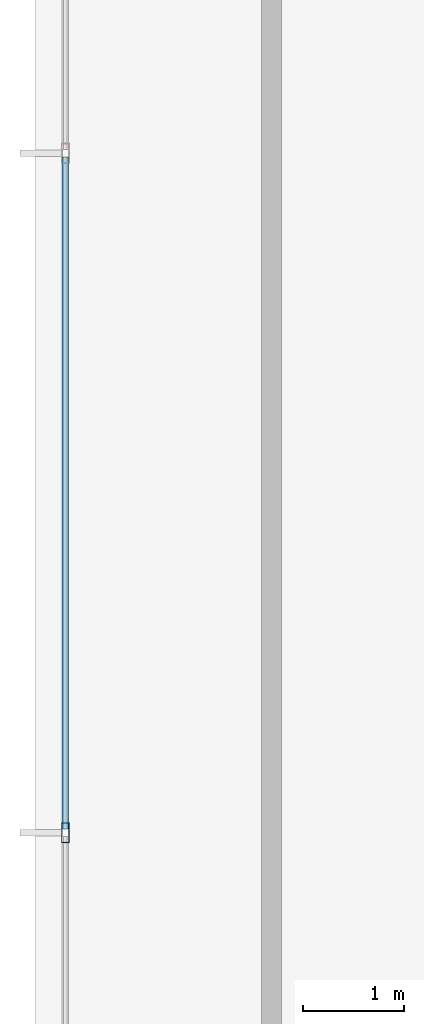
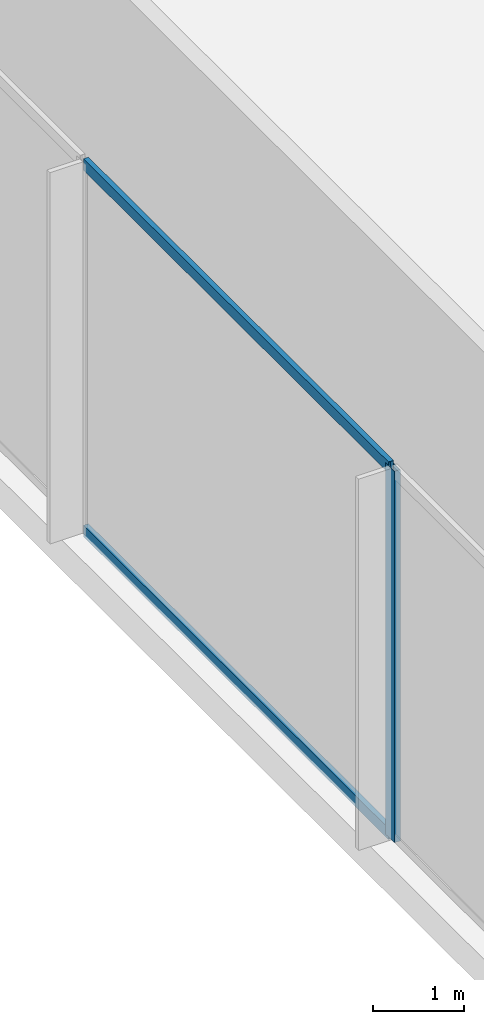
# One storey, part 8 of 43: 3 members, 1 element without a shape of its own.
"""IFC4 building model written with IfcOpenShell, lengths in metres."""

from ifc_helpers import new_model, si_unit, direction, frame, origin, origin_2d, place, context, subcontext, project, spatial, hollow_rectangle, extrude, material, layer, layer_set, material_profile, profile_set, type_object, element, aggregate, save


model = new_model("IFC4")

# Units and contexts
model_context = context("Model", 3, precision=1e-05, world=origin(), true_north=direction((0.0, 1.0)))
body_context = subcontext(model_context, "Body", "Model", "MODEL_VIEW")
ifc_project = project(units=[si_unit("LENGTHUNIT", "METRE"), si_unit("AREAUNIT", "SQUARE_METRE"), si_unit("VOLUMEUNIT", "CUBIC_METRE"), si_unit("PLANEANGLEUNIT", "RADIAN"), si_unit("MASSUNIT", "GRAM", prefix="KILO")], contexts=[model_context])

# Site, building, storey
site_placement = place(None, origin())
site = spatial("IfcSite", under=ifc_project, at=site_placement, CompositionType="ELEMENT")
building_placement = place(site_placement, origin())
building = spatial("IfcBuilding", under=site, at=building_placement, Name="Orvanel Arch Residences", CompositionType="ELEMENT")
storey_placement = place(building_placement, frame((0.0, 0.0, 18.39990234375)))
storey = spatial("IfcBuildingStorey", under=building, at=storey_placement, Name="L04", CompositionType="ELEMENT", Elevation=18.39990234375)

# Curtain wall, members
ifc_material = material(Name="Bronze-anodised aluminium AA6063-T6", Category="aluminium")
ifc_layer = layer(ifc_material, 0.199951171875)
ifc_layer_set = layer_set([ifc_layer], Name="Bronze-anodised aluminium AA6063-T6")
curtain_wall_type = type_object("IfcCurtainWallType", Name="CW1-POD-SYS", PredefinedType="NOTDEFINED", material=ifc_layer_set)
curtain_wall_placement = place(storey_placement, origin())
curtain_wall = element("IfcCurtainWall", 1, at=curtain_wall_placement, inside=storey, type_object=curtain_wall_type, Name="L04 CW1-POD-SYS Unitised Curtain Wall", PredefinedType="NOTDEFINED")
ifc_material_profile_1 = material_profile(ifc_material, hollow_rectangle(XDim=0.074951171875, YDim=0.199951171875, WallThickness=0.0048828125, at=origin_2d()), Name="ALU200x75x5")
ifc_profile_set_1 = profile_set([ifc_material_profile_1], Name="Bronze-anodised aluminium AA6063-T6")
member_type_1 = type_object("IfcMemberType", Name="MUL-200x75", PredefinedType="MULLION", material=ifc_profile_set_1)
member_1_placement = place(storey_placement, frame((1.550048828125, 20.74755859375, 0.0), z_axis=(0.0, 0.0, 1.0), x_axis=(1.0, 0.0, 0.0)))
member_1 = element("IfcMember", 2, at=member_1_placement, type_object=member_type_1, Name="CW-S1 mullion 6", PredefinedType="MULLION", context=body_context, shape_type="SweptSolid", body=[
    extrude(hollow_rectangle(XDim=0.074951171875, YDim=0.199951171875, WallThickness=0.0048828125, at=origin_2d()), origin(), (0.0, 0.0, 1.0), 4.960205078125),
])
ifc_material_profile_2 = material_profile(ifc_material, hollow_rectangle(XDim=0.06494140625, YDim=0.14990234375, WallThickness=0.00390625, at=origin_2d()), Name="ALU150x65x4")
ifc_profile_set_2 = profile_set([ifc_material_profile_2], Name="Bronze-anodised aluminium AA6063-T6")
member_type_2 = type_object("IfcMemberType", Name="TRN-150x65", PredefinedType="USERDEFINED", material=ifc_profile_set_2)
member_2_placement = place(storey_placement, frame((1.550048828125, 27.46240234375, 0.03271484375), z_axis=(0.0, -1.0, 0.0), x_axis=(1.0, 0.0, 0.0)))
member_2 = element("IfcMember", 3, at=member_2_placement, type_object=member_type_2, Name="CW-S1 transom 5.1", ObjectType="TRANSOM", PredefinedType="USERDEFINED", context=body_context, shape_type="SweptSolid", body=[
    extrude(hollow_rectangle(XDim=0.06494140625, YDim=0.14990234375, WallThickness=0.00390625, at=origin_2d()), origin(), (0.0, 0.0, 1.0), 6.677490234375),
])
member_3_placement = place(storey_placement, frame((1.550048828125, 27.46240234375, 4.927490234375), z_axis=(0.0, -1.0, 0.0), x_axis=(1.0, 0.0, 0.0)))
member_3 = element("IfcMember", 4, at=member_3_placement, type_object=member_type_2, Name="CW-S1 transom 5.2", ObjectType="TRANSOM", PredefinedType="USERDEFINED", context=body_context, shape_type="SweptSolid", body=[
    extrude(hollow_rectangle(XDim=0.06494140625, YDim=0.14990234375, WallThickness=0.00390625, at=origin_2d()), origin(), (0.0, 0.0, 1.0), 6.677490234375),
])
aggregate(curtain_wall, [member_1, member_2, member_3])

save(model, "model.ifc")
